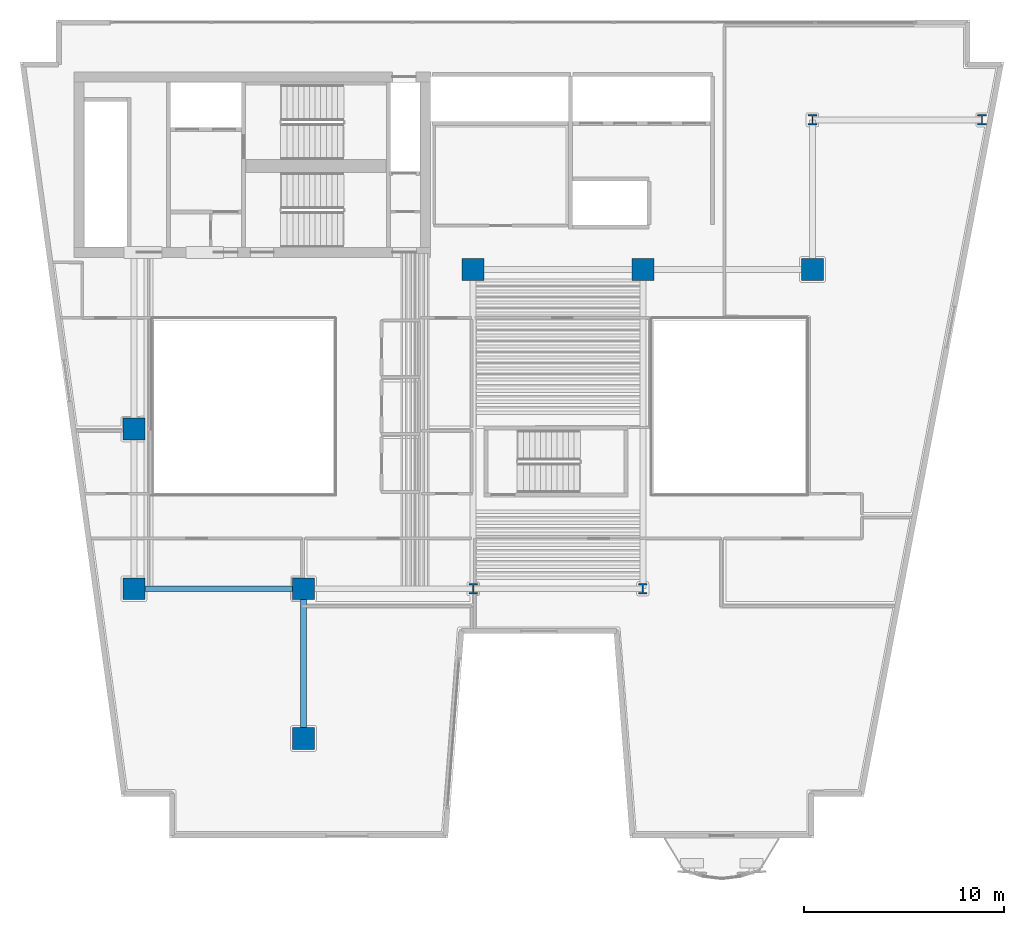
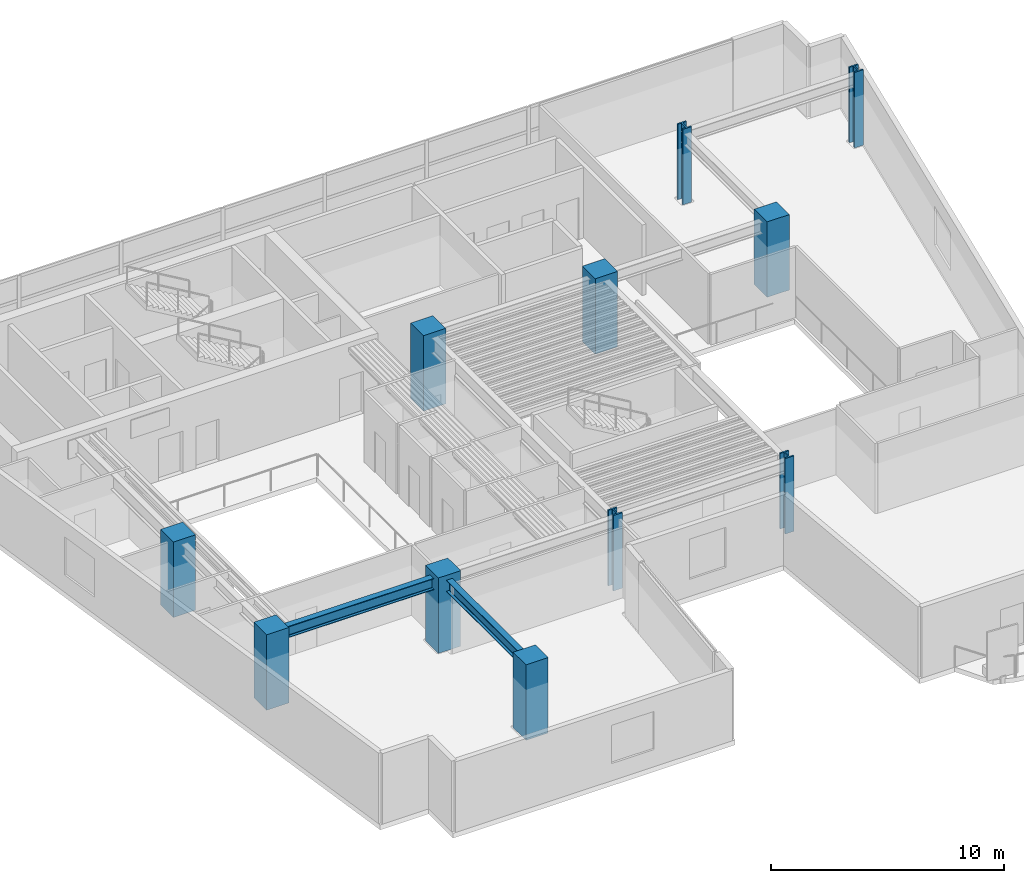
# One storey, part 1 of 12: 11 columns, 2 beams.
"""IFC4 building model written with IfcOpenShell, lengths in metres."""

from ifc_helpers import new_model, si_unit, direction, frame, origin, origin_2d, place, context, subcontext, project, spatial, rectangle, i_section, extrude, material, material_profile, profile_set, type_object, element, save


model = new_model("IFC4")

# Units and contexts
model_context = context("Model", 3, precision=1e-05, world=origin(), true_north=direction((0.0, 1.0)))
body_context = subcontext(model_context, "Body", "Model", "MODEL_VIEW")
ifc_project = project(units=[si_unit("LENGTHUNIT", "METRE"), si_unit("AREAUNIT", "SQUARE_METRE"), si_unit("VOLUMEUNIT", "CUBIC_METRE"), si_unit("PLANEANGLEUNIT", "RADIAN"), si_unit("MASSUNIT", "GRAM", prefix="KILO")], contexts=[model_context])

# Site, building, storey
site_placement = place(None, origin())
site = spatial("IfcSite", under=ifc_project, at=site_placement, CompositionType="ELEMENT")
building_placement = place(site_placement, origin())
building = spatial("IfcBuilding", under=site, at=building_placement, Name="Caeloran Harvest Quay", CompositionType="ELEMENT")
storey_placement = place(building_placement, frame((0.0, 0.0, 111.39990234375)))
storey = spatial("IfcBuildingStorey", under=building, at=storey_placement, Name="L25", CompositionType="ELEMENT", Elevation=111.39990234375)

# Columns
ifc_material_1 = material(Name="Concrete C70/85", Category="concrete")
ifc_material_profile_1 = material_profile(ifc_material_1, rectangle(XDim=1.10009765625, YDim=1.10009765625, at=origin_2d()), Name="RC 1100x1100")
ifc_profile_set_1 = profile_set([ifc_material_profile_1], Name="Concrete C70/85")
column_type_1 = type_object("IfcColumnType", Name="COL-MC-3-RC_1100x1100", PredefinedType="COLUMN", material=ifc_profile_set_1)
for number, where, z_axis, x_axis, name in (
    (1, (8.5, 15.0, 0.0), (0.0, 0.0, 1.0), (1.0, 0.0, 0.0), "L25 Structural Column (8.5, 15.0)"),
    (2, (8.5, 23.0, 0.0), (0.0, 0.0, 1.0), (1.0, 0.0, 0.0), "L25 Structural Column (8.5, 23.0)"),
    (3, (17.0, 7.5, 0.0), (0.0, 0.0, 1.0), (1.0, 0.0, 0.0), "L25 Structural Column (17.0, 7.5)"),
    (4, (17.0, 15.0, 0.0), (0.0, 0.0, 1.0), (1.0, 0.0, 0.0), "L25 Structural Column (17.0, 15.0)"),
    (5, (25.5, 31.0, 0.0), (0.0, 0.0, 1.0), (1.0, 0.0, 0.0), "L25 Structural Column (25.5, 31.0)"),
    (6, (34.0, 31.0, 0.0), (0.0, 0.0, 1.0), (1.0, 0.0, 0.0), "L25 Structural Column (34.0, 31.0)"),
    (7, (42.5, 31.0, 0.0), (0.0, 0.0, 1.0), (1.0, 0.0, 0.0), "L25 Structural Column (42.5, 31.0)"),
):
    element("IfcColumn", number, at=place(storey_placement, frame(where, z_axis=z_axis, x_axis=x_axis)), inside=storey, type_object=column_type_1, Name=name, PredefinedType="COLUMN", context=body_context, shape_type="SweptSolid", body=[
        extrude(rectangle(XDim=1.10009765625, YDim=1.10009765625, at=origin_2d()), origin(), (0.0, 0.0, 1.0), 3.9501953125),
    ])
ifc_material_2 = material(Name="Steel HISTAR 460", Category="steel")
ifc_material_profile_2 = material_profile(ifc_material_2, i_section(OverallWidth=0.43701171875, OverallDepth=0.513916015625, WebThickness=0.060546875, FlangeThickness=0.076904296875, FilletRadius=0.014892578125, at=origin_2d()), Name="HD 400x818")
ifc_profile_set_2 = profile_set([ifc_material_profile_2], Name="Steel HISTAR 460")
column_type_2 = type_object("IfcColumnType", Name="COL-SC-2-HD_400x818", PredefinedType="COLUMN", material=ifc_profile_set_2)
for number, where, z_axis, x_axis, name in (
    (8, (25.5, 15.0, 0.0), (0.0, 0.0, 1.0), (1.0, 0.0, 0.0), "L25 Structural Column (25.5, 15.0)"),
    (9, (34.0, 15.0, 0.0), (0.0, 0.0, 1.0), (1.0, 0.0, 0.0), "L25 Structural Column (34.0, 15.0)"),
    (10, (42.5, 38.5, 0.0), (0.0, 0.0, 1.0), (1.0, 0.0, 0.0), "L25 Structural Column (42.5, 38.5)"),
    (11, (51.0, 38.5, 0.0), (0.0, 0.0, 1.0), (1.0, 0.0, 0.0), "L25 Structural Column (51.0, 38.5)"),
):
    element("IfcColumn", number, at=place(storey_placement, frame(where, z_axis=z_axis, x_axis=x_axis)), inside=storey, type_object=column_type_2, Name=name, PredefinedType="COLUMN", context=body_context, shape_type="SweptSolid", body=[
        extrude(i_section(OverallWidth=0.43701171875, OverallDepth=0.513916015625, WebThickness=0.060546875, FlangeThickness=0.076904296875, FilletRadius=0.014892578125, at=origin_2d()), origin(), (0.0, 0.0, 1.0), 3.9501953125),
    ])

# Beams
ifc_material_3 = material(Name="Steel S355J2", Category="steel")
ifc_material_profile_3 = material_profile(ifc_material_3, i_section(OverallWidth=0.300048828125, OverallDepth=0.60009765625, WebThickness=0.015380859375, FlangeThickness=0.030029296875, FilletRadius=0.027099609375, at=origin_2d()), Name="HE 600 B")
ifc_profile_set_3 = profile_set([ifc_material_profile_3], Name="Steel S355J2")
beam_type = type_object("IfcBeamType", Name="BM-PG-3-HE_600_B", PredefinedType="BEAM", material=ifc_profile_set_3)
beam_1_placement = place(storey_placement, frame((8.5, 15.0, 3.39013671875), z_axis=(1.0, 0.0, 0.0), x_axis=(0.0, 1.0, 0.0)))
element("IfcBeam", 12, at=beam_1_placement, inside=storey, type_object=beam_type, Name="L25 Primary East-West Girder Y=15.0", PredefinedType="BEAM", context=body_context, shape_type="SweptSolid", body=[
    extrude(i_section(OverallWidth=0.300048828125, OverallDepth=0.60009765625, WebThickness=0.015380859375, FlangeThickness=0.030029296875, FilletRadius=0.027099609375, at=origin_2d()), origin(), (0.0, 0.0, 1.0), 8.5),
])
beam_2_placement = place(storey_placement, frame((17.0, 7.5, 3.39013671875), z_axis=(0.0, 1.0, 0.0), x_axis=(-1.0, 0.0, 0.0)))
element("IfcBeam", 13, at=beam_2_placement, inside=storey, type_object=beam_type, Name="L25 Primary North-South Girder X=17.0", PredefinedType="BEAM", context=body_context, shape_type="SweptSolid", body=[
    extrude(i_section(OverallWidth=0.300048828125, OverallDepth=0.60009765625, WebThickness=0.015380859375, FlangeThickness=0.030029296875, FilletRadius=0.027099609375, at=origin_2d()), origin(), (0.0, 0.0, 1.0), 7.5),
])

save(model, "model.ifc")
